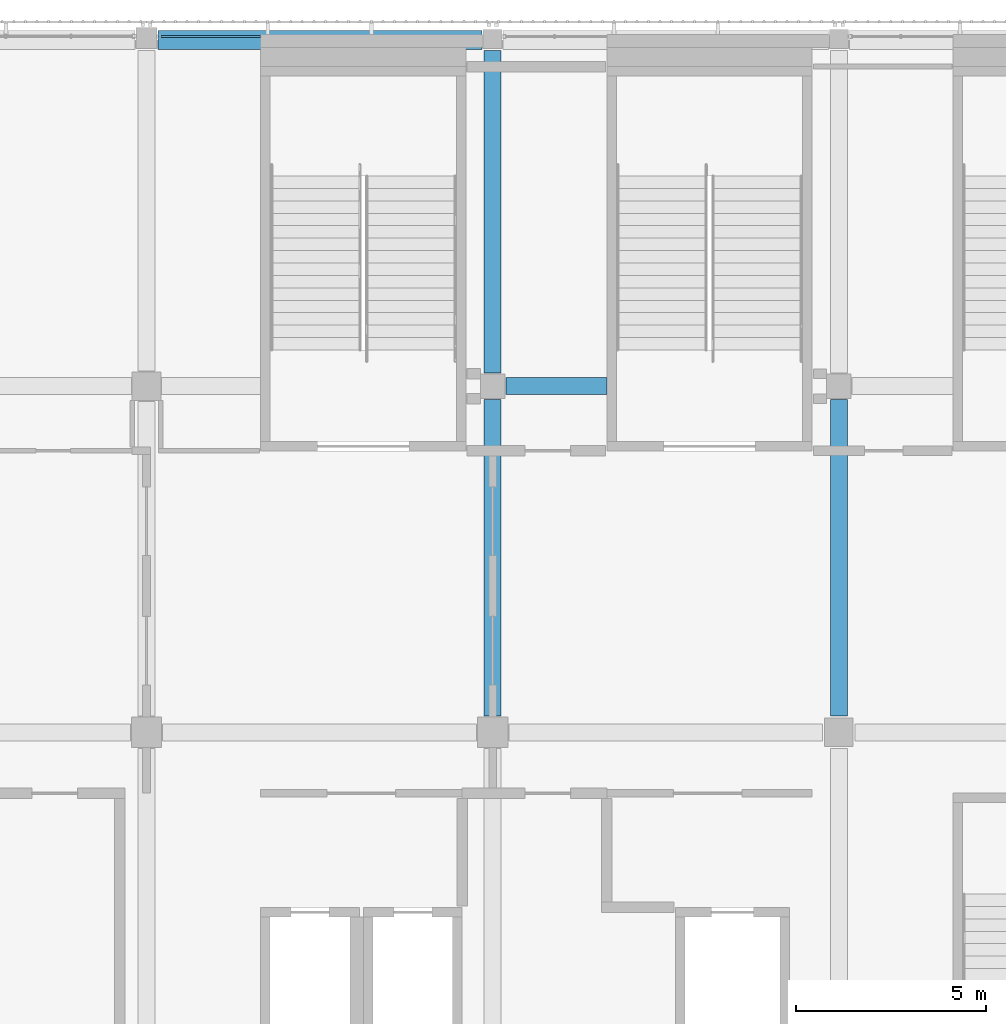
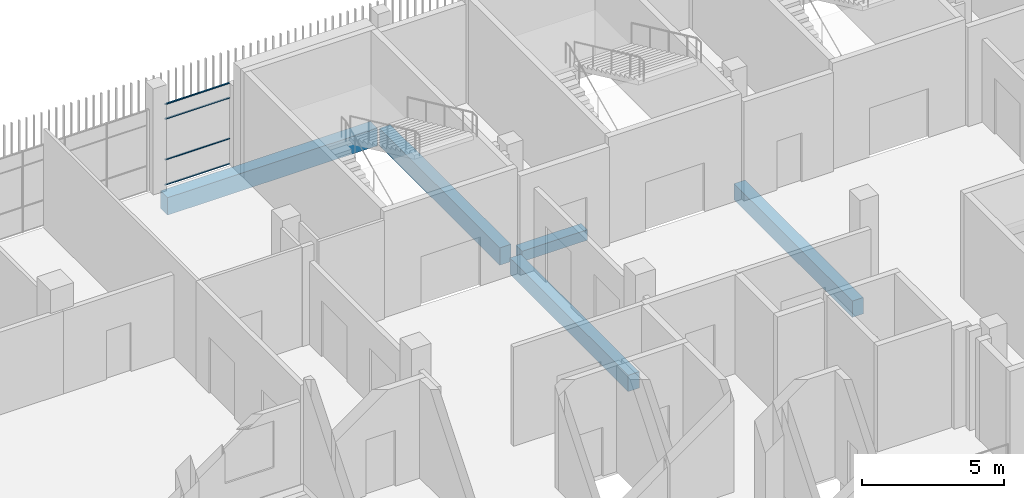
# One storey, part 38 of 104: 5 beams, 4 members, 1 element without a shape of its own.
"""IFC4 building model written with IfcOpenShell, lengths in metres."""

import ifcopenshell
import ifcopenshell.guid

model = None  # the IFC model being written
_history = None  # IfcOwnerHistory: only IFC2X3 demands one
_inside = {}  # id of a spatial element -> (the spatial element, [elements in it])
_under = {}  # id of a project, library or spatial element -> (it, [spatial elements below it])
_declared = {}  # id of a project -> (the project, [libraries it declares])
_typed = {}  # id of a type object -> (the type object, [elements of that type])
_made_of = {}  # id of a material, layer set ... -> (it, [elements and type objects made of it])


def new_model(schema):
    """Start an empty IFC model of exactly this schema.

    Asked for "IFC4X3", IfcOpenShell would pick the latest addendum, in which some entities
    have other attributes; the version numbers below select the first issue.
    IFC2X3 requires an IfcOwnerHistory on every rooted entity: one is made here for all.
    """
    global model, _history
    if schema == "IFC4X3":
        model = ifcopenshell.file(schema_version=(4, 3, 0, 0))
    else:
        model = ifcopenshell.file(schema=schema)
    _inside.clear()
    _under.clear()
    _declared.clear()
    _typed.clear()
    _made_of.clear()
    _history = None
    if model.schema == "IFC2X3":
        org = make("IfcOrganization", Name="unknown")
        user = make(
            "IfcPersonAndOrganization",
            ThePerson=make("IfcPerson", FamilyName="unknown"),
            TheOrganization=org,
        )
        app = make(
            "IfcApplication",
            ApplicationDeveloper=org,
            Version="unknown",
            ApplicationFullName="unknown",
            ApplicationIdentifier="unknown",
        )
        _history = make(
            "IfcOwnerHistory",
            OwningUser=user,
            OwningApplication=app,
            ChangeAction="ADDED",
            CreationDate=0,
        )
    return model


def make(cls, **values):
    """One entity of the class cls with the attributes given. An attribute that is None is left unset."""
    return model.create_entity(
        cls, **{name: value for name, value in values.items() if value is not None}
    )


def rooted(cls, **values):
    """An entity with a GlobalId (a new one), such as an element, a storey or a relation."""
    return make(cls, GlobalId=ifcopenshell.guid.new(), OwnerHistory=_history, **values)


def si_unit(unit_type, name, prefix=None):
    """IfcSIUnit, for example si_unit("LENGTHUNIT", "METRE", prefix="MILLI")."""
    return make("IfcSIUnit", UnitType=unit_type, Prefix=prefix, Name=name)


def assignment(units):
    """IfcUnitAssignment: the units of a project."""
    return None if units is None else make("IfcUnitAssignment", Units=units)


def point(xyz):
    """IfcCartesianPoint."""
    return None if xyz is None else make("IfcCartesianPoint", Coordinates=xyz)


def direction(xyz):
    """IfcDirection."""
    return None if xyz is None else make("IfcDirection", DirectionRatios=xyz)


def frame(location, z_axis=None, x_axis=None):
    """IfcAxis2Placement3D, a coordinate frame: its origin and axes. An axis left out is left unset."""
    return make(
        "IfcAxis2Placement3D",
        Location=point(location),
        Axis=direction(z_axis),
        RefDirection=direction(x_axis),
    )


def frame_2d(location, x_axis=None):
    """IfcAxis2Placement2D, a coordinate frame in the plane: its origin and x axis."""
    return make(
        "IfcAxis2Placement2D", Location=point(location), RefDirection=direction(x_axis)
    )


def origin():
    """The frame at (0, 0, 0) with its axes left unset."""
    return frame((0.0, 0.0, 0.0))


def origin_2d():
    """The frame at (0, 0) in the plane with its x axis left unset."""
    return frame_2d((0.0, 0.0))


def place(relative_to, where):
    """IfcLocalPlacement: puts the frame where relative to a parent placement (None: the world)."""
    return make(
        "IfcLocalPlacement", PlacementRelTo=relative_to, RelativePlacement=where
    )


def context(
    kind, dimensions, precision=None, world=None, true_north=None, identifier=None
):
    """IfcGeometricRepresentationContext, for example the 3D "Model" context."""
    return make(
        "IfcGeometricRepresentationContext",
        ContextIdentifier=identifier,
        ContextType=kind,
        CoordinateSpaceDimension=dimensions,
        Precision=precision,
        WorldCoordinateSystem=world,
        TrueNorth=true_north,
    )


def subcontext(parent, identifier, kind, view, scale=None):
    """IfcGeometricRepresentationSubContext, for example "Body" below "Model"."""
    return make(
        "IfcGeometricRepresentationSubContext",
        ContextIdentifier=identifier,
        ContextType=kind,
        ParentContext=parent,
        TargetScale=scale,
        TargetView=view,
    )


def project(units=None, contexts=None):
    """IfcProject with its units and contexts."""
    return rooted(
        "IfcProject",
        Name="project",
        RepresentationContexts=contexts,
        UnitsInContext=assignment(units),
    )


def spatial(cls, under=None, at=None, **own):
    """A site, building, storey or space (cls), placed at a placement, below another one or the project."""
    s = rooted(cls, ObjectPlacement=at, **own)
    if under is not None:
        _under.setdefault(under.id(), (under, []))[1].append(s)
    return s


def profile(cls, at=None, kind="AREA", **sizes):
    """A parametric profile (cls). Its sizes go by their IFC names, for example OverallWidth=200.0."""
    return make(cls, ProfileType=kind, Position=at, **sizes)


def rectangle(**sizes):
    """IfcRectangleProfileDef."""
    return profile("IfcRectangleProfileDef", **sizes)


def hollow_rectangle(**sizes):
    """IfcRectangleHollowProfileDef."""
    return profile("IfcRectangleHollowProfileDef", **sizes)


def extrude(swept, where, along, depth):
    """IfcExtrudedAreaSolid: the profile swept, set in the frame where, extruded along a direction by depth."""
    return make(
        "IfcExtrudedAreaSolid",
        SweptArea=swept,
        Position=where,
        ExtrudedDirection=direction(along),
        Depth=depth,
    )


def shape(context_of_items, identifier, shape_type, items):
    """IfcShapeRepresentation: the items that make up one representation, for example the "Body"."""
    return make(
        "IfcShapeRepresentation",
        ContextOfItems=context_of_items,
        RepresentationIdentifier=identifier,
        RepresentationType=shape_type,
        Items=items,
    )


def material(Name=None, Category=None):
    """IfcMaterial."""
    return make("IfcMaterial", Name=Name, Category=Category)


def layer(
    of_material, thickness, ventilated=None, Name=None, Category=None, Priority=None
):
    """IfcMaterialLayer: one layer of a wall or slab, of a material (None: an air gap)."""
    return make(
        "IfcMaterialLayer",
        Material=of_material,
        LayerThickness=thickness,
        IsVentilated=ventilated,
        Name=Name,
        Category=Category,
        Priority=Priority,
    )


def layer_set(layers, Name=None):
    """IfcMaterialLayerSet."""
    return make("IfcMaterialLayerSet", MaterialLayers=layers, LayerSetName=Name)


def material_profile(
    of_material, cross_section, Name=None, Category=None, Priority=None
):
    """IfcMaterialProfile: a cross section and its material."""
    return make(
        "IfcMaterialProfile",
        Name=Name,
        Material=of_material,
        Profile=cross_section,
        Priority=Priority,
        Category=Category,
    )


def profile_set(profiles, Name=None, composite=None):
    """IfcMaterialProfileSet."""
    return make(
        "IfcMaterialProfileSet",
        Name=Name,
        MaterialProfiles=profiles,
        CompositeProfile=composite,
    )


def made_of(thing, what):
    """Note that an element or type object is made of a material, layer set ...; save() writes the relation."""
    if what is not None:
        _made_of.setdefault(what.id(), (what, []))[1].append(thing)
    return thing


def type_object(cls, material=None, **own):
    """A type object (cls), such as IfcWallType, which elements share."""
    return made_of(rooted(cls, **own), material)


def element(
    cls,
    number,
    at=None,
    inside=None,
    cuts=None,
    type_object=None,
    material=None,
    context=None,
    identifier="Body",
    shape_type=None,
    held_by="IfcProductDefinitionShape",
    body=None,
    shapes=None,
    **own,
):
    """One element of the class cls, such as IfcWall. Its Tag is "e" and its number.

    at: its placement. inside: the storey or other place that contains it. cuts: it is an
    opening in that element (IfcRelVoidsElement). A single representation is given by context,
    identifier, shape_type and body (its items); several are given by shapes. held_by: the class
    of the entity that holds the representations. save() writes the other relations.
    """
    e = rooted(cls, Tag="e%d" % number, ObjectPlacement=at, **own)
    if body is not None:
        shapes = [shape(context, identifier, shape_type, body)]
    if shapes is not None:
        e.Representation = make(held_by, Representations=shapes)
    if inside is not None:
        _inside.setdefault(inside.id(), (inside, []))[1].append(e)
    if cuts is not None:
        rooted(
            "IfcRelVoidsElement", RelatingBuildingElement=cuts, RelatedOpeningElement=e
        )
    if type_object is not None:
        _typed.setdefault(type_object.id(), (type_object, []))[1].append(e)
    return made_of(e, material)


def aggregate(whole, parts):
    """IfcRelAggregates: a whole, such as a stair, and the parts it consists of."""
    return rooted("IfcRelAggregates", RelatingObject=whole, RelatedObjects=parts)


def save(model, path):
    """Write the relations noted so far, then the file.

    IfcRelAggregates (storeys below a building ...), IfcRelContainedInSpatialStructure (elements
    in a storey), IfcRelDefinesByType, IfcRelAssociatesMaterial and IfcRelDeclares: one each for
    every whole, place, type object, material and project.
    """
    for whole, parts in _under.values():
        aggregate(whole, parts)
    for where, things in _inside.values():
        rooted(
            "IfcRelContainedInSpatialStructure",
            RelatedElements=things,
            RelatingStructure=where,
        )
    for kind, things in _typed.values():
        rooted("IfcRelDefinesByType", RelatedObjects=things, RelatingType=kind)
    for what, things in _made_of.values():
        rooted("IfcRelAssociatesMaterial", RelatedObjects=things, RelatingMaterial=what)
    for by, libraries in _declared.values():
        rooted("IfcRelDeclares", RelatingContext=by, RelatedDefinitions=libraries)
    model.write(path)


model = new_model("IFC4")

# Units and contexts
model_context = context("Model", 3, precision=1e-05, world=origin(), true_north=direction((0.0, 1.0)))
body_context = subcontext(model_context, "Body", "Model", "MODEL_VIEW")
ifc_project = project(units=[si_unit("LENGTHUNIT", "METRE"), si_unit("AREAUNIT", "SQUARE_METRE"), si_unit("VOLUMEUNIT", "CUBIC_METRE"), si_unit("PLANEANGLEUNIT", "RADIAN"), si_unit("MASSUNIT", "GRAM", prefix="KILO")], contexts=[model_context])

# Site, building, storey
site_placement = place(None, origin())
site = spatial("IfcSite", under=ifc_project, at=site_placement, CompositionType="ELEMENT")
building_placement = place(site_placement, origin())
building = spatial("IfcBuilding", under=site, at=building_placement, Name="Shirokan Park Arena", CompositionType="ELEMENT")
storey_placement = place(building_placement, frame((0.0, 0.0, 10.919921875)))
storey = spatial("IfcBuildingStorey", under=building, at=storey_placement, Name="L02", CompositionType="ELEMENT", Elevation=10.919921875)

# Beams
ifc_material_1 = material(Name="Concrete C35", Category="concrete")
ifc_material_profile_1 = material_profile(ifc_material_1, rectangle(XDim=0.449951171875, YDim=0.699951171875, at=origin_2d()), Name="450x700")
ifc_profile_set_1 = profile_set([ifc_material_profile_1], Name="Concrete C35")
beam_type_1 = type_object("IfcBeamType", Name="RC girder 450x700", PredefinedType="BEAM", material=ifc_profile_set_1)
for number, where, z_axis, x_axis, name in (
    (1, (118.300048828125, 91.425048828125, -0.64990234375), (0.0, 1.0, 0.0), (-1.0, 0.0, 0.0), "Girder 14L-14M L02"),
    (2, (127.39990234375, 91.425048828125, -0.64990234375), (0.0, 1.0, 0.0), (-1.0, 0.0, 0.0), "Girder 15L-15M L02"),
):
    element("IfcBeam", number, at=place(storey_placement, frame(where, z_axis=z_axis, x_axis=x_axis)), inside=storey, type_object=beam_type_1, Name=name, PredefinedType="BEAM", context=body_context, shape_type="SweptSolid", body=[
        extrude(rectangle(XDim=0.449951171875, YDim=0.699951171875, at=origin_2d()), origin(), (0.0, 0.0, 1.0), 8.324951171875),
    ])
ifc_material_profile_2 = material_profile(ifc_material_1, rectangle(XDim=0.449951171875, YDim=0.75, at=origin_2d()), Name="450x750")
ifc_profile_set_2 = profile_set([ifc_material_profile_2], Name="Concrete C35")
beam_type_2 = type_object("IfcBeamType", Name="RC girder 450x750", PredefinedType="BEAM", material=ifc_profile_set_2)
beam_1_placement = place(storey_placement, frame((118.300048828125, 100.4501953125, -0.6748046875), z_axis=(0.0, 1.0, 0.0), x_axis=(-1.0, 0.0, 0.0)))
element("IfcBeam", 3, at=beam_1_placement, inside=storey, type_object=beam_type_2, Name="Girder 14M-14N L02", PredefinedType="BEAM", context=body_context, shape_type="SweptSolid", body=[
    extrude(rectangle(XDim=0.449951171875, YDim=0.75, at=origin_2d()), origin(), (0.0, 0.0, 1.0), 8.474609375),
])
ifc_material_profile_3 = material_profile(ifc_material_1, rectangle(XDim=0.5, YDim=0.75, at=origin_2d()), Name="500x750")
ifc_profile_set_3 = profile_set([ifc_material_profile_3], Name="Concrete C35")
beam_type_3 = type_object("IfcBeamType", Name="RC girder 500x750", PredefinedType="BEAM", material=ifc_profile_set_3)
beam_2_placement = place(storey_placement, frame((109.5, 109.199951171875, -0.6748046875), z_axis=(1.0, 0.0, 0.0), x_axis=(0.0, 1.0, 0.0)))
element("IfcBeam", 4, at=beam_2_placement, inside=storey, type_object=beam_type_3, Name="Girder 13N-14N L02", PredefinedType="BEAM", context=body_context, shape_type="SweptSolid", body=[
    extrude(rectangle(XDim=0.5, YDim=0.75, at=origin_2d()), origin(), (0.0, 0.0, 1.0), 8.52490234375),
])
ifc_material_profile_4 = material_profile(ifc_material_1, rectangle(XDim=0.449951171875, YDim=0.449951171875, at=origin_2d()), Name="450x450")
ifc_profile_set_4 = profile_set([ifc_material_profile_4], Name="Concrete C35")
beam_type_4 = type_object("IfcBeamType", Name="RC trimmer 450x450", PredefinedType="BEAM", material=ifc_profile_set_4)
beam_3_placement = place(storey_placement, frame((118.650146484375, 100.10009765625, -0.52490234375), z_axis=(1.0, 0.0, 0.0), x_axis=(0.0, 1.0, 0.0)))
element("IfcBeam", 5, at=beam_3_placement, inside=storey, type_object=beam_type_4, Name="Girder 14M-15M L02", PredefinedType="BEAM", context=body_context, shape_type="SweptSolid", body=[
    extrude(rectangle(XDim=0.449951171875, YDim=0.449951171875, at=origin_2d()), origin(), (0.0, 0.0, 1.0), 2.64990234375),
])

# Curtain wall, members
ifc_material_2 = material(Name="Steel and glass curtain wall", Category="steel")
ifc_layer = layer(ifc_material_2, 0.1201171875)
ifc_layer_set = layer_set([ifc_layer], Name="Steel and glass curtain wall 120 mm")
curtain_wall_type = type_object("IfcCurtainWallType", Name="Curtain wall corner block side bay 120", PredefinedType="NOTDEFINED", material=ifc_layer_set)
curtain_wall_placement = place(storey_placement, origin())
curtain_wall = element("IfcCurtainWall", 6, at=curtain_wall_placement, inside=storey, type_object=curtain_wall_type, Name="Curtain wall north bay 4 L02", PredefinedType="NOTDEFINED")
ifc_material_3 = material(Name="Steel S355", Category="steel")
ifc_material_profile_5 = material_profile(ifc_material_3, hollow_rectangle(XDim=0.06005859375, YDim=0.0400390625, WallThickness=0.00390625, at=origin_2d()), Name="RHS 60x40x4")
ifc_profile_set_5 = profile_set([ifc_material_profile_5], Name="Steel S355")
member_type = type_object("IfcMemberType", Name="Transom RHS 60x40x4", PredefinedType="MULLION", material=ifc_profile_set_5)
member_1_placement = place(storey_placement, frame((112.199951171875, 109.2900390625, 0.02001953125), z_axis=(-1.0, 0.0, 0.0), x_axis=(0.0, -1.0, 0.0)))
member_1 = element("IfcMember", 7, at=member_1_placement, type_object=member_type, Name="CW3 transom 1.1", PredefinedType="MULLION", context=body_context, shape_type="SweptSolid", body=[
    extrude(hollow_rectangle(XDim=0.06005859375, YDim=0.0400390625, WallThickness=0.00390625, at=origin_2d()), origin(), (0.0, 0.0, 1.0), 2.625),
])
member_2_placement = place(storey_placement, frame((112.199951171875, 109.2900390625, 1.10009765625), z_axis=(-1.0, 0.0, 0.0), x_axis=(0.0, -1.0, 0.0)))
member_2 = element("IfcMember", 8, at=member_2_placement, type_object=member_type, Name="CW3 transom 1.2", PredefinedType="MULLION", context=body_context, shape_type="SweptSolid", body=[
    extrude(hollow_rectangle(XDim=0.06005859375, YDim=0.0400390625, WallThickness=0.00390625, at=origin_2d()), origin(), (0.0, 0.0, 1.0), 2.625),
])
member_3_placement = place(storey_placement, frame((112.199951171875, 109.2900390625, 2.85009765625), z_axis=(-1.0, 0.0, 0.0), x_axis=(0.0, -1.0, 0.0)))
member_3 = element("IfcMember", 9, at=member_3_placement, type_object=member_type, Name="CW3 transom 1.3", PredefinedType="MULLION", context=body_context, shape_type="SweptSolid", body=[
    extrude(hollow_rectangle(XDim=0.06005859375, YDim=0.0400390625, WallThickness=0.00390625, at=origin_2d()), origin(), (0.0, 0.0, 1.0), 2.625),
])
member_4_placement = place(storey_placement, frame((112.199951171875, 109.2900390625, 3.47998046875), z_axis=(-1.0, 0.0, 0.0), x_axis=(0.0, -1.0, 0.0)))
member_4 = element("IfcMember", 10, at=member_4_placement, type_object=member_type, Name="CW3 transom 1.4", PredefinedType="MULLION", context=body_context, shape_type="SweptSolid", body=[
    extrude(hollow_rectangle(XDim=0.06005859375, YDim=0.0400390625, WallThickness=0.00390625, at=origin_2d()), origin(), (0.0, 0.0, 1.0), 2.625),
])
aggregate(curtain_wall, [member_1, member_2, member_3, member_4])

save(model, "model.ifc")
